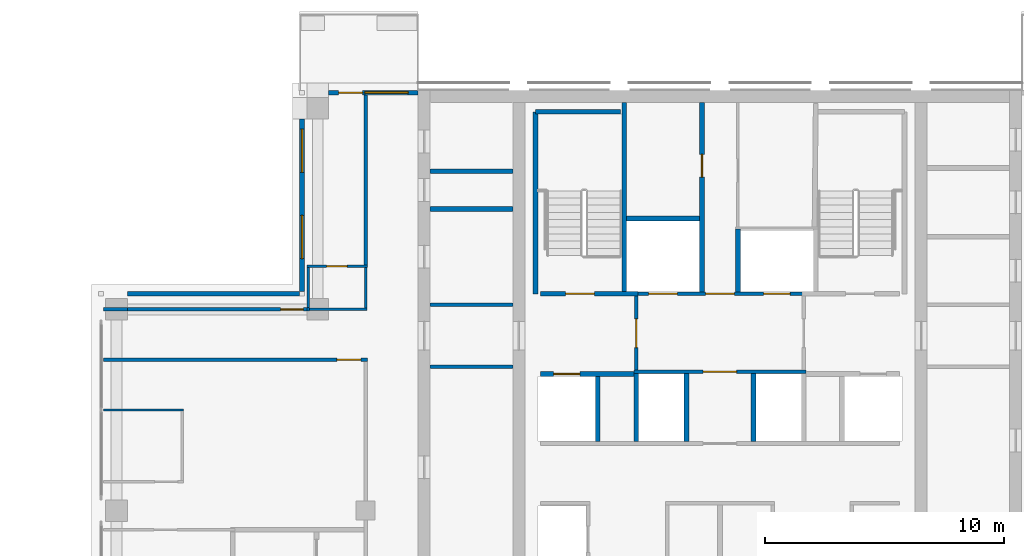
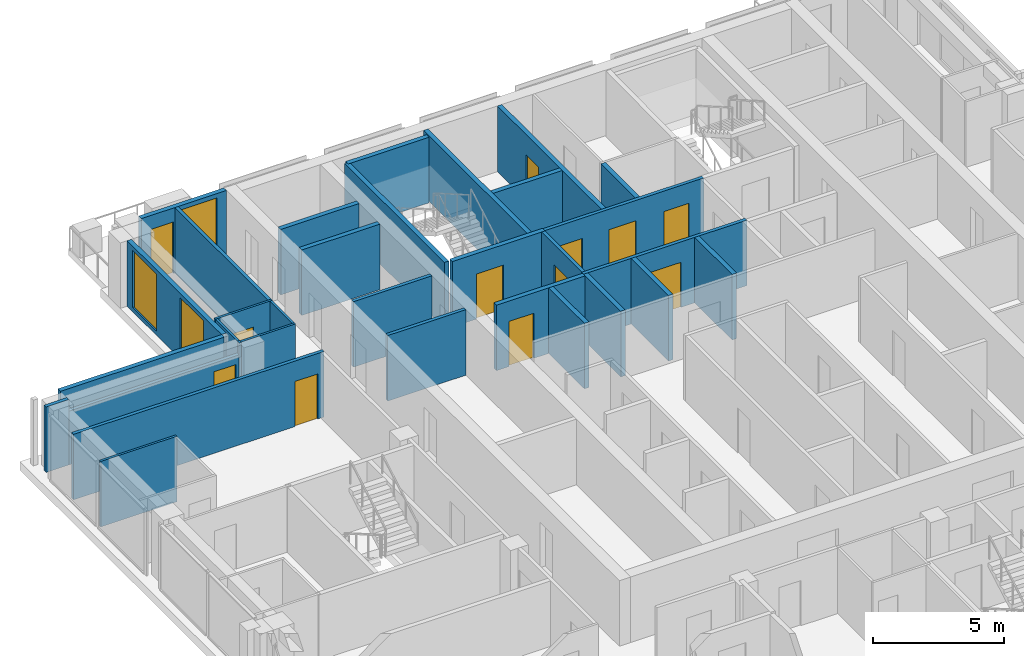
# One storey, part 13 of 18: 32 walls, 12 doors, 3 windows, 15 openings.
"""IFC4 building model written with IfcOpenShell, lengths in metres."""

from ifc_helpers import new_model, si_unit, direction, frame, frame_2d, origin, place, context, subcontext, project, spatial, rectangle, extrude, material, layer, layer_set, type_object, element, fill, save


model = new_model("IFC4")

# Units and contexts
model_context = context("Model", 3, precision=1e-05, world=origin(), true_north=direction((0.0, 1.0)))
body_context = subcontext(model_context, "Body", "Model", "MODEL_VIEW")
ifc_project = project(units=[si_unit("LENGTHUNIT", "METRE"), si_unit("AREAUNIT", "SQUARE_METRE"), si_unit("VOLUMEUNIT", "CUBIC_METRE"), si_unit("PLANEANGLEUNIT", "RADIAN"), si_unit("MASSUNIT", "GRAM", prefix="KILO")], contexts=[model_context])

# Site, building, storey
site_placement = place(None, origin())
site = spatial("IfcSite", under=ifc_project, at=site_placement, CompositionType="ELEMENT")
building_placement = place(site_placement, origin())
building = spatial("IfcBuilding", under=site, at=building_placement, Name="Vermilion Ogive Tower", CompositionType="ELEMENT")
storey_placement = place(building_placement, frame((0.0, 0.0, 230.35009765625)))
storey = spatial("IfcBuildingStorey", under=building, at=storey_placement, Name="L60", CompositionType="ELEMENT", Elevation=230.35009765625)

# Wall
ifc_material_1 = material(Name="Gypsum board partition on steel studs", Category="steel")
ifc_layer_1 = layer(ifc_material_1, 0.10009765625)
ifc_layer_set_1 = layer_set([ifc_layer_1], Name="Partition 100 bath")
wall_type_1 = type_object("IfcWallType", Name="Partition 100 bath", PredefinedType="PARTITIONING", material=ifc_layer_set_1)
wall_1_placement = place(storey_placement, frame((-17.25, 12.60009765625, 0.0), z_axis=(0.0, 0.0, 1.0), x_axis=(1.0, 0.0, 0.0)))
element("IfcWall", 1, at=wall_1_placement, inside=storey, type_object=wall_type_1, Name="L60-W-W034", PredefinedType="PARTITIONING", context=body_context, shape_type="SweptSolid", body=[
    extrude(rectangle(XDim=2.5, YDim=0.10009765625, at=frame_2d((1.25, 0.0))), origin(), (0.0, 0.0, 1.0), 3.0498046875),
])

# Wall, opening, door
wall_2_placement = place(storey_placement, frame((-17.25, 14.39990234375, 0.0), z_axis=(0.0, 0.0, 1.0), x_axis=(1.0, 0.0, 0.0)))
wall_2 = element("IfcWall", 2, at=wall_2_placement, inside=storey, type_object=wall_type_1, Name="L60-W-W037", PredefinedType="PARTITIONING", context=body_context, shape_type="SweptSolid", body=[
    extrude(rectangle(XDim=2.52490234375, YDim=0.10009765625, at=frame_2d((1.262451171875, 0.0))), origin(), (0.0, 0.0, 1.0), 3.0498046875),
])
opening_1_placement = place(wall_2_placement, frame((0.824951171875, 0.0, 0.0)))
opening_1 = element("IfcOpeningElement", 3, at=opening_1_placement, cuts=wall_2, Name="Opening D5G1008", PredefinedType="OPENING", context=body_context, shape_type="SweptSolid", body=[
    extrude(rectangle(XDim=0.85009765625, YDim=2.10009765625, at=frame_2d((0.425048828125, 1.050048828125))), frame((0.0, 0.06005859375, 0.0), z_axis=(0.0, -1.0, 0.0), x_axis=(1.0, 0.0, 0.0)), (0.0, 0.0, 1.0), 0.1201171875),
])
ifc_material_2 = material(Name="Timber door leaf", Category="wood")
door_type_1 = type_object("IfcDoorType", Name="Bath door 850 x 2100 FD30", OperationType="SINGLE_SWING_LEFT", PredefinedType="DOOR", material=ifc_material_2)
door_1_placement = place(opening_1_placement, origin())
door_1 = element("IfcDoor", 4, at=door_1_placement, inside=storey, type_object=door_type_1, Name="L60-D-D008", OperationType="SINGLE_SWING_RIGHT", OverallHeight=2.10009765625, OverallWidth=0.85009765625, PredefinedType="DOOR", context=body_context, shape_type="SweptSolid", body=[
    extrude(rectangle(XDim=0.85009765625, YDim=2.10009765625, at=frame_2d((0.425048828125, 1.050048828125))), frame((0.0, 0.02490234375, 0.0), z_axis=(0.0, -1.0, 0.0), x_axis=(1.0, 0.0, 0.0)), (0.0, 0.0, 1.0), 0.050048828125),
])
fill(opening_1, door_1)

# Walls
wall_3_placement = place(storey_placement, frame((-17.199951171875, 12.675048828125, 0.0), z_axis=(0.0, 0.0, 1.0), x_axis=(0.0, 1.0, 0.0)))
element("IfcWall", 5, at=wall_3_placement, inside=storey, type_object=wall_type_1, Name="L60-W-W043", PredefinedType="PARTITIONING", context=body_context, shape_type="SweptSolid", body=[
    extrude(rectangle(XDim=1.675048828125, YDim=0.10009765625, at=frame_2d((0.83740234375, 0.0))), origin(), (0.0, 0.0, 1.0), 3.0498046875),
])
wall_4_placement = place(storey_placement, frame((-14.800048828125, 12.64990234375, 0.0), z_axis=(0.0, 0.0, 1.0), x_axis=(0.0, 1.0, 0.0)))
element("IfcWall", 6, at=wall_4_placement, inside=storey, type_object=wall_type_1, Name="L60-W-W046", PredefinedType="PARTITIONING", context=body_context, shape_type="SweptSolid", body=[
    extrude(rectangle(XDim=1.7001953125, YDim=0.10009765625, at=frame_2d((0.85009765625, 0.0))), origin(), (0.0, 0.0, 1.0), 3.0498046875),
])
ifc_material_3 = material(Name="Gypsum board partition on steel studs", Category="steel")
ifc_layer_2 = layer(ifc_material_3, 0.10009765625)
ifc_layer_set_2 = layer_set([ifc_layer_2], Name="Partition 100 inner")
wall_type_2 = type_object("IfcWallType", Name="Partition 100 inner", PredefinedType="PARTITIONING", material=ifc_layer_set_2)
wall_5_placement = place(storey_placement, frame((-25.75, 8.39990234375, 0.0), z_axis=(0.0, 0.0, 1.0), x_axis=(1.0, 0.0, 0.0)))
element("IfcWall", 7, at=wall_5_placement, inside=storey, type_object=wall_type_2, Name="L60-W-W029", PredefinedType="PARTITIONING", context=body_context, shape_type="SweptSolid", body=[
    extrude(rectangle(XDim=3.35009765625, YDim=0.10009765625, at=frame_2d((1.675048828125, 0.0))), origin(), (0.0, 0.0, 1.0), 3.0498046875),
])

# Wall, opening, door
ifc_material_4 = material(Name="Gypsum board partition on steel studs", Category="steel")
ifc_layer_3 = layer(ifc_material_4, 0.14990234375)
ifc_layer_set_3 = layer_set([ifc_layer_3], Name="Partition 150 corridor")
wall_type_3 = type_object("IfcWallType", Name="Partition 150 corridor", PredefinedType="PARTITIONING", material=ifc_layer_set_3)
wall_6_placement = place(storey_placement, frame((-25.75, 10.5, 0.0), z_axis=(0.0, 0.0, 1.0), x_axis=(1.0, 0.0, 0.0)))
wall_6 = element("IfcWall", 8, at=wall_6_placement, inside=storey, type_object=wall_type_3, Name="L60-W-W031", PredefinedType="PARTITIONING", context=body_context, shape_type="SweptSolid", body=[
    extrude(rectangle(XDim=11.02490234375, YDim=0.14990234375, at=frame_2d((5.512451171875, 0.0))), origin(), (0.0, 0.0, 1.0), 3.0498046875),
])
opening_2_placement = place(wall_6_placement, frame((9.75, 0.0, 0.0)))
opening_2 = element("IfcOpeningElement", 9, at=opening_2_placement, cuts=wall_6, Name="Opening D5G1004", PredefinedType="OPENING", context=body_context, shape_type="SweptSolid", body=[
    extrude(rectangle(XDim=1.0, YDim=2.10009765625, at=frame_2d((0.5, 1.050048828125))), frame((0.0, 0.0849609375, 0.0), z_axis=(0.0, -1.0, 0.0), x_axis=(1.0, 0.0, 0.0)), (0.0, 0.0, 1.0), 0.169921875),
])
ifc_material_5 = material(Name="Timber door leaf", Category="wood")
door_type_2 = type_object("IfcDoorType", Name="Unit door 1000 x 2100 FD30S", OperationType="SINGLE_SWING_LEFT", PredefinedType="DOOR", material=ifc_material_5)
door_2_placement = place(opening_2_placement, origin())
door_2 = element("IfcDoor", 10, at=door_2_placement, inside=storey, type_object=door_type_2, Name="L60-D-D004", OperationType="SINGLE_SWING_RIGHT", OverallHeight=2.10009765625, OverallWidth=1.0, PredefinedType="DOOR", context=body_context, shape_type="SweptSolid", body=[
    extrude(rectangle(XDim=1.0, YDim=2.10009765625, at=frame_2d((0.5, 1.050048828125))), frame((0.0, 0.02490234375, 0.0), z_axis=(0.0, -1.0, 0.0), x_axis=(1.0, 0.0, 0.0)), (0.0, 0.0, 1.0), 0.050048828125),
])
fill(opening_2, door_2)

# Walls
wall_7_placement = place(storey_placement, frame((-25.75, 12.60009765625, 0.0), z_axis=(0.0, 0.0, 1.0), x_axis=(1.0, 0.0, 0.0)))
element("IfcWall", 11, at=wall_7_placement, inside=storey, type_object=wall_type_3, Name="L60-W-W033", PredefinedType="PARTITIONING", context=body_context, shape_type="SweptSolid", body=[
    extrude(rectangle(XDim=1.0, YDim=0.14990234375, at=frame_2d((0.5, 0.0))), origin(), (0.0, 0.0, 1.0), 3.0498046875),
])
wall_8_placement = place(storey_placement, frame((-14.800048828125, 14.449951171875, 0.0), z_axis=(0.0, 0.0, 1.0), x_axis=(0.0, 1.0, 0.0)))
element("IfcWall", 12, at=wall_8_placement, inside=storey, type_object=wall_type_3, Name="L60-W-W047", PredefinedType="PARTITIONING", context=body_context, shape_type="SweptSolid", body=[
    extrude(rectangle(XDim=7.10009765625, YDim=0.14990234375, at=frame_2d((3.550048828125, 0.0))), origin(), (0.0, 0.0, 1.0), 3.0498046875),
])

# Wall, opening, door
wall_9_placement = place(storey_placement, frame((-3.60009765625, 10.0, 0.0), z_axis=(0.0, 0.0, 1.0), x_axis=(1.0, 0.0, 0.0)))
wall_9 = element("IfcWall", 13, at=wall_9_placement, inside=storey, type_object=wall_type_3, Name="L60-CK-W-W013", PredefinedType="PARTITIONING", context=body_context, shape_type="SweptSolid", body=[
    extrude(rectangle(XDim=7.2001953125, YDim=0.14990234375, at=frame_2d((3.60009765625, 0.0))), origin(), (0.0, 0.0, 1.0), 3.0498046875),
])
opening_3_placement = place(wall_9_placement, frame((2.900146484375, 0.0, 0.0)))
opening_3 = element("IfcOpeningElement", 14, at=opening_3_placement, cuts=wall_9, Name="Opening DAA541", PredefinedType="OPENING", context=body_context, shape_type="SweptSolid", body=[
    extrude(rectangle(XDim=1.39990234375, YDim=2.10009765625, at=frame_2d((0.699951171875, 1.050048828125))), frame((0.0, 0.0849609375, 0.0), z_axis=(0.0, -1.0, 0.0), x_axis=(1.0, 0.0, 0.0)), (0.0, 0.0, 1.0), 0.169921875),
])
ifc_material_6 = material(Name="Timber door leaf", Category="wood")
door_type_3 = type_object("IfcDoorType", Name="Lobby door 1400 x 2100 FD60S", OperationType="SINGLE_SWING_LEFT", PredefinedType="DOOR", material=ifc_material_6)
door_3_placement = place(opening_3_placement, origin())
door_3 = element("IfcDoor", 15, at=door_3_placement, inside=storey, type_object=door_type_3, Name="L60-CK-D-D016", OperationType="SINGLE_SWING_RIGHT", OverallHeight=2.10009765625, OverallWidth=1.39990234375, PredefinedType="DOOR", context=body_context, shape_type="SweptSolid", body=[
    extrude(rectangle(XDim=1.39990234375, YDim=2.10009765625, at=frame_2d((0.699951171875, 1.050048828125))), frame((0.0, 0.02490234375, 0.0), z_axis=(0.0, -1.0, 0.0), x_axis=(1.0, 0.0, 0.0)), (0.0, 0.0, 1.0), 0.050048828125),
])
fill(opening_3, door_3)

# Wall, openings, doors
wall_10_placement = place(storey_placement, frame((-3.574951171875, 13.25, 0.0), z_axis=(0.0, 0.0, 1.0), x_axis=(1.0, 0.0, 0.0)))
wall_10 = element("IfcWall", 16, at=wall_10_placement, inside=storey, type_object=wall_type_3, Name="L60-CK-W-W015", PredefinedType="PARTITIONING", context=body_context, shape_type="SweptSolid", body=[
    extrude(rectangle(XDim=7.14990234375, YDim=0.14990234375, at=frame_2d((3.574951171875, 0.0))), origin(), (0.0, 0.0, 1.0), 3.0498046875),
])
opening_4_placement = place(wall_10_placement, frame((0.599853515625, 0.0, 0.0)))
opening_4 = element("IfcOpeningElement", 17, at=opening_4_placement, cuts=wall_10, Name="Opening DAA560", PredefinedType="OPENING", context=body_context, shape_type="SweptSolid", body=[
    extrude(rectangle(XDim=1.199951171875, YDim=2.10009765625, at=frame_2d((0.60009765625, 1.050048828125))), frame((0.0, 0.0849609375, 0.0), z_axis=(0.0, -1.0, 0.0), x_axis=(1.0, 0.0, 0.0)), (0.0, 0.0, 1.0), 0.169921875),
])
opening_5_placement = place(wall_10_placement, frame((5.39990234375, 0.0, 0.0)))
opening_5 = element("IfcOpeningElement", 18, at=opening_5_placement, cuts=wall_10, Name="Opening DAA559", PredefinedType="OPENING", context=body_context, shape_type="SweptSolid", body=[
    extrude(rectangle(XDim=1.10009765625, YDim=2.10009765625, at=frame_2d((0.550048828125, 1.050048828125))), frame((0.0, 0.0849609375, 0.0), z_axis=(0.0, -1.0, 0.0), x_axis=(1.0, 0.0, 0.0)), (0.0, 0.0, 1.0), 0.169921875),
])
opening_6_placement = place(wall_10_placement, frame((2.974853515625, 0.0, 0.0)))
opening_6 = element("IfcOpeningElement", 19, at=opening_6_placement, cuts=wall_10, Name="Opening DAA542", PredefinedType="OPENING", context=body_context, shape_type="SweptSolid", body=[
    extrude(rectangle(XDim=1.199951171875, YDim=2.10009765625, at=frame_2d((0.60009765625, 1.050048828125))), frame((0.0, 0.0849609375, 0.0), z_axis=(0.0, -1.0, 0.0), x_axis=(1.0, 0.0, 0.0)), (0.0, 0.0, 1.0), 0.169921875),
])
ifc_material_7 = material(Name="Stainless steel", Category="steel")
door_type_4 = type_object("IfcDoorType", Name="Lift landing door 1100 x 2100", OperationType="SLIDING_TO_LEFT", PredefinedType="DOOR", material=ifc_material_7)
door_4_placement = place(opening_5_placement, origin())
door_4 = element("IfcDoor", 20, at=door_4_placement, inside=storey, type_object=door_type_4, Name="L60-CK-D-D018", OperationType="SLIDING_TO_LEFT", OverallHeight=2.10009765625, OverallWidth=1.10009765625, PredefinedType="DOOR", context=body_context, shape_type="SweptSolid", body=[
    extrude(rectangle(XDim=1.10009765625, YDim=2.10009765625, at=frame_2d((0.550048828125, 1.050048828125))), frame((0.0, 0.02490234375, 0.0), z_axis=(0.0, -1.0, 0.0), x_axis=(1.0, 0.0, 0.0)), (0.0, 0.0, 1.0), 0.050048828125),
])
fill(opening_5, door_4)
ifc_material_8 = material(Name="Stainless steel", Category="steel")
door_type_5 = type_object("IfcDoorType", Name="Lift landing door 1200 x 2100", OperationType="SLIDING_TO_LEFT", PredefinedType="DOOR", material=ifc_material_8)
door_5_placement = place(opening_4_placement, origin())
door_5 = element("IfcDoor", 21, at=door_5_placement, inside=storey, type_object=door_type_5, Name="L60-CK-D-D017", OperationType="SLIDING_TO_RIGHT", OverallHeight=2.10009765625, OverallWidth=1.199951171875, PredefinedType="DOOR", context=body_context, shape_type="SweptSolid", body=[
    extrude(rectangle(XDim=1.199951171875, YDim=2.10009765625, at=frame_2d((0.60009765625, 1.050048828125))), frame((0.0, 0.02490234375, 0.0), z_axis=(0.0, -1.0, 0.0), x_axis=(1.0, 0.0, 0.0)), (0.0, 0.0, 1.0), 0.050048828125),
])
fill(opening_4, door_5)
ifc_material_9 = material(Name="Timber door leaf", Category="wood")
door_type_6 = type_object("IfcDoorType", Name="Service door 1200 x 2100 FD60", OperationType="SINGLE_SWING_LEFT", PredefinedType="DOOR", material=ifc_material_9)
door_6_placement = place(opening_6_placement, origin())
door_6 = element("IfcDoor", 22, at=door_6_placement, inside=storey, type_object=door_type_6, Name="L60-CK-D-D019", OperationType="SINGLE_SWING_RIGHT", OverallHeight=2.10009765625, OverallWidth=1.199951171875, PredefinedType="DOOR", context=body_context, shape_type="SweptSolid", body=[
    extrude(rectangle(XDim=1.199951171875, YDim=2.10009765625, at=frame_2d((0.60009765625, 1.050048828125))), frame((0.0, 0.02490234375, 0.0), z_axis=(0.0, -1.0, 0.0), x_axis=(1.0, 0.0, 0.0)), (0.0, 0.0, 1.0), 0.050048828125),
])
fill(opening_6, door_6)

# Wall, opening, door
wall_11_placement = place(storey_placement, frame((-3.5, 10.074951171875, 0.0), z_axis=(0.0, 0.0, 1.0), x_axis=(0.0, 1.0, 0.0)))
wall_11 = element("IfcWall", 23, at=wall_11_placement, inside=storey, type_object=wall_type_3, Name="L60-CK-W-W023", PredefinedType="PARTITIONING", context=body_context, shape_type="SweptSolid", body=[
    extrude(rectangle(XDim=3.074951171875, YDim=0.14990234375, at=frame_2d((1.53759765625, 0.0))), origin(), (0.0, 0.0, 1.0), 3.0498046875),
])
opening_7_placement = place(wall_11_placement, frame((0.925048828125, 0.0, 0.0)))
opening_7 = element("IfcOpeningElement", 24, at=opening_7_placement, cuts=wall_11, Name="Opening DAA538", PredefinedType="OPENING", context=body_context, shape_type="SweptSolid", body=[
    extrude(rectangle(XDim=1.199951171875, YDim=2.10009765625, at=frame_2d((0.60009765625, 1.050048828125))), frame((0.0, 0.0849609375, 0.0), z_axis=(0.0, -1.0, 0.0), x_axis=(1.0, 0.0, 0.0)), (0.0, 0.0, 1.0), 0.169921875),
])
ifc_material_10 = material(Name="Timber door leaf", Category="wood")
door_type_7 = type_object("IfcDoorType", Name="Lobby door 1200 x 2100 FD60S", OperationType="SINGLE_SWING_LEFT", PredefinedType="DOOR", material=ifc_material_10)
door_7_placement = place(opening_7_placement, origin())
door_7 = element("IfcDoor", 25, at=door_7_placement, inside=storey, type_object=door_type_7, Name="L60-CK-D-D022", OperationType="SINGLE_SWING_RIGHT", OverallHeight=2.10009765625, OverallWidth=1.199951171875, PredefinedType="DOOR", context=body_context, shape_type="SweptSolid", body=[
    extrude(rectangle(XDim=1.199951171875, YDim=2.10009765625, at=frame_2d((0.60009765625, 1.050048828125))), frame((0.0, 0.02490234375, 0.0), z_axis=(0.0, -1.0, 0.0), x_axis=(1.0, 0.0, 0.0)), (0.0, 0.0, 1.0), 0.050048828125),
])
fill(opening_7, door_7)

# Walls
for number, where, z_axis, x_axis, name in (
    (26, (-12.09912109375, 10.199951171875, 0.0), (0.0, 0.0, 1.0), (1.0, 0.0, 0.0), "L60-CKW-W-W002"),
    (27, (-12.09912109375, 12.800048828125, 0.0), (0.0, 0.0, 1.0), (1.0, 0.0, 0.0), "L60-CKW-W-W003"),
):
    element("IfcWall", number, at=place(storey_placement, frame(where, z_axis=z_axis, x_axis=x_axis)), inside=storey, type_object=wall_type_3, Name=name, PredefinedType="PARTITIONING", context=body_context, shape_type="SweptSolid", body=[
        extrude(rectangle(XDim=3.4482421875, YDim=0.14990234375, at=frame_2d((1.72412109375, 0.0))), origin(), (0.0, 0.0, 1.0), 3.0498046875),
    ])

# Wall, opening, door
wall_12_placement = place(storey_placement, frame((-24.75, 12.60009765625, 0.0), z_axis=(0.0, 0.0, 1.0), x_axis=(1.0, 0.0, 0.0)))
wall_12 = element("IfcWall", 28, at=wall_12_placement, inside=storey, type_object=wall_type_3, Name="L60-W-W033-h1", PredefinedType="PARTITIONING", context=body_context, shape_type="SweptSolid", body=[
    extrude(rectangle(XDim=7.5, YDim=0.14990234375, at=frame_2d((3.75, 0.0))), origin(), (0.0, 0.0, 1.0), 2.5),
])
opening_8_placement = place(wall_12_placement, frame((6.39990234375, 0.0, 0.0)))
opening_8 = element("IfcOpeningElement", 29, at=opening_8_placement, cuts=wall_12, Name="Opening D5G1007", PredefinedType="OPENING", context=body_context, shape_type="SweptSolid", body=[
    extrude(rectangle(XDim=0.949951171875, YDim=2.10009765625, at=frame_2d((0.47509765625, 1.050048828125))), frame((0.0, 0.0849609375, 0.0), z_axis=(0.0, -1.0, 0.0), x_axis=(1.0, 0.0, 0.0)), (0.0, 0.0, 1.0), 0.169921875),
])
ifc_material_11 = material(Name="Timber door leaf", Category="wood")
door_type_8 = type_object("IfcDoorType", Name="Unit door 950 x 2100 FD30S", OperationType="SINGLE_SWING_LEFT", PredefinedType="DOOR", material=ifc_material_11)
door_8_placement = place(opening_8_placement, origin())
door_8 = element("IfcDoor", 30, at=door_8_placement, inside=storey, type_object=door_type_8, Name="L60-D-D007", OperationType="SINGLE_SWING_LEFT", OverallHeight=2.10009765625, OverallWidth=0.949951171875, PredefinedType="DOOR", context=body_context, shape_type="SweptSolid", body=[
    extrude(rectangle(XDim=0.949951171875, YDim=2.10009765625, at=frame_2d((0.47509765625, 1.050048828125))), frame((0.0, 0.02490234375, 0.0), z_axis=(0.0, -1.0, 0.0), x_axis=(1.0, 0.0, 0.0)), (0.0, 0.0, 1.0), 0.050048828125),
])
fill(opening_8, door_8)

# Wall
wall_13_placement = place(storey_placement, frame((-17.25, 12.60009765625, 0.0), z_axis=(0.0, 0.0, 1.0), x_axis=(1.0, 0.0, 0.0)))
element("IfcWall", 31, at=wall_13_placement, inside=storey, type_object=wall_type_3, Name="L60-W-W033-h2", PredefinedType="PARTITIONING", context=body_context, shape_type="SweptSolid", body=[
    extrude(rectangle(XDim=0.10009765625, YDim=0.14990234375, at=frame_2d((0.050048828125, 0.0))), origin(), (0.0, 0.0, 1.0), 3.0498046875),
])

# Wall, opening, door
ifc_material_12 = material(Name="Gypsum board partition on steel studs", Category="steel")
ifc_layer_4 = layer(ifc_material_12, 0.199951171875)
ifc_layer_set_4 = layer_set([ifc_layer_4], Name="Partition 200 party")
wall_type_4 = type_object("IfcWallType", Name="Partition 200 party", PredefinedType="PARTITIONING", material=ifc_layer_set_4)
wall_14_placement = place(storey_placement, frame((-7.5, 9.89990234375, 0.0), z_axis=(0.0, 0.0, 1.0), x_axis=(1.0, 0.0, 0.0)))
wall_14 = element("IfcWall", 32, at=wall_14_placement, inside=storey, type_object=wall_type_4, Name="L60-CK-W-W011", PredefinedType="PARTITIONING", context=body_context, shape_type="SweptSolid", body=[
    extrude(rectangle(XDim=3.89990234375, YDim=0.199951171875, at=frame_2d((1.949951171875, 0.0))), origin(), (0.0, 0.0, 1.0), 3.0498046875),
])
opening_9_placement = place(wall_14_placement, frame((0.550048828125, 0.0, 0.0)))
opening_9 = element("IfcOpeningElement", 33, at=opening_9_placement, cuts=wall_14, Name="Opening DAA557", PredefinedType="OPENING", context=body_context, shape_type="SweptSolid", body=[
    extrude(rectangle(XDim=1.10009765625, YDim=2.10009765625, at=frame_2d((0.550048828125, 1.050048828125))), frame((0.0, 0.10986328125, 0.0), z_axis=(0.0, -1.0, 0.0), x_axis=(1.0, 0.0, 0.0)), (0.0, 0.0, 1.0), 0.219970703125),
])
door_9_placement = place(opening_9_placement, origin())
door_9 = element("IfcDoor", 34, at=door_9_placement, inside=storey, type_object=door_type_4, Name="L60-CK-D-D012", OperationType="SLIDING_TO_RIGHT", OverallHeight=2.10009765625, OverallWidth=1.10009765625, PredefinedType="DOOR", context=body_context, shape_type="SweptSolid", body=[
    extrude(rectangle(XDim=1.10009765625, YDim=2.10009765625, at=frame_2d((0.550048828125, 1.050048828125))), frame((0.0, 0.02490234375, 0.0), z_axis=(0.0, -1.0, 0.0), x_axis=(1.0, 0.0, 0.0)), (0.0, 0.0, 1.0), 0.050048828125),
])
fill(opening_9, door_9)

# Walls
wall_15_placement = place(storey_placement, frame((-3.89990234375, 16.39990234375, 0.0), z_axis=(0.0, 0.0, 1.0), x_axis=(1.0, 0.0, 0.0)))
element("IfcWall", 35, at=wall_15_placement, inside=storey, type_object=wall_type_4, Name="L60-CK-W-W018", PredefinedType="PARTITIONING", context=body_context, shape_type="SweptSolid", body=[
    extrude(rectangle(XDim=3.0498046875, YDim=0.199951171875, at=frame_2d((1.52490234375, 0.0))), origin(), (0.0, 0.0, 1.0), 3.0498046875),
])
wall_16_placement = place(storey_placement, frame((-5.10009765625, 7.074951171875, 0.0), z_axis=(0.0, 0.0, 1.0), x_axis=(0.0, 1.0, 0.0)))
element("IfcWall", 36, at=wall_16_placement, inside=storey, type_object=wall_type_4, Name="L60-CK-W-W020", PredefinedType="PARTITIONING", context=body_context, shape_type="SweptSolid", body=[
    extrude(rectangle(XDim=2.72509765625, YDim=0.199951171875, at=frame_2d((1.362548828125, 0.0))), origin(), (0.0, 0.0, 1.0), 3.0498046875),
])
for number, where, z_axis, x_axis, name in (
    (37, (-3.5, 7.074951171875, 0.0), (0.0, 0.0, 1.0), (0.0, 1.0, 0.0), "L60-CK-W-W022"),
    (38, (-1.39990234375, 7.074951171875, 0.0), (0.0, 0.0, 1.0), (0.0, 1.0, 0.0), "L60-CK-W-W025"),
):
    element("IfcWall", number, at=place(storey_placement, frame(where, z_axis=z_axis, x_axis=x_axis)), inside=storey, type_object=wall_type_4, Name=name, PredefinedType="PARTITIONING", context=body_context, shape_type="SweptSolid", body=[
        extrude(rectangle(XDim=2.85009765625, YDim=0.199951171875, at=frame_2d((1.425048828125, 0.0))), origin(), (0.0, 0.0, 1.0), 3.0498046875),
    ])

# Wall, opening, door
wall_17_placement = place(storey_placement, frame((-0.75, 13.324951171875, 0.0), z_axis=(0.0, 0.0, 1.0), x_axis=(0.0, 1.0, 0.0)))
wall_17 = element("IfcWall", 39, at=wall_17_placement, inside=storey, type_object=wall_type_4, Name="L60-CK-W-W026", PredefinedType="PARTITIONING", context=body_context, shape_type="SweptSolid", body=[
    extrude(rectangle(XDim=7.924072265625, YDim=0.199951171875, at=frame_2d((3.9619140625, 0.0))), origin(), (0.0, 0.0, 1.0), 3.0498046875),
])
opening_10_placement = place(wall_17_placement, frame((4.800048828125, 0.0, 0.0)))
opening_10 = element("IfcOpeningElement", 40, at=opening_10_placement, cuts=wall_17, Name="Opening DAA548", PredefinedType="OPENING", context=body_context, shape_type="SweptSolid", body=[
    extrude(rectangle(XDim=0.949951171875, YDim=2.10009765625, at=frame_2d((0.47509765625, 1.050048828125))), frame((0.0, 0.10986328125, 0.0), z_axis=(0.0, -1.0, 0.0), x_axis=(1.0, 0.0, 0.0)), (0.0, 0.0, 1.0), 0.219970703125),
])
ifc_material_13 = material(Name="Timber door leaf", Category="wood")
door_type_9 = type_object("IfcDoorType", Name="Service door 950 x 2100 FD60", OperationType="SINGLE_SWING_LEFT", PredefinedType="DOOR", material=ifc_material_13)
door_10_placement = place(opening_10_placement, origin())
door_10 = element("IfcDoor", 41, at=door_10_placement, inside=storey, type_object=door_type_9, Name="L60-CK-D-D020", OperationType="SINGLE_SWING_RIGHT", OverallHeight=2.10009765625, OverallWidth=0.949951171875, PredefinedType="DOOR", context=body_context, shape_type="SweptSolid", body=[
    extrude(rectangle(XDim=0.949951171875, YDim=2.10009765625, at=frame_2d((0.47509765625, 1.050048828125))), frame((0.0, 0.02490234375, 0.0), z_axis=(0.0, -1.0, 0.0), x_axis=(1.0, 0.0, 0.0)), (0.0, 0.0, 1.0), 0.050048828125),
])
fill(opening_10, door_10)

# Walls
wall_18_placement = place(storey_placement, frame((0.75, 13.324951171875, 0.0), z_axis=(0.0, 0.0, 1.0), x_axis=(0.0, 1.0, 0.0)))
element("IfcWall", 42, at=wall_18_placement, inside=storey, type_object=wall_type_4, Name="L60-CK-W-W028", PredefinedType="PARTITIONING", context=body_context, shape_type="SweptSolid", body=[
    extrude(rectangle(XDim=2.625, YDim=0.199951171875, at=frame_2d((1.3125, 0.0))), origin(), (0.0, 0.0, 1.0), 3.0498046875),
])
wall_19_placement = place(storey_placement, frame((1.39990234375, 7.074951171875, 0.0), z_axis=(0.0, 0.0, 1.0), x_axis=(0.0, 1.0, 0.0)))
element("IfcWall", 43, at=wall_19_placement, inside=storey, type_object=wall_type_4, Name="L60-CK-W-W030", PredefinedType="PARTITIONING", context=body_context, shape_type="SweptSolid", body=[
    extrude(rectangle(XDim=2.85009765625, YDim=0.199951171875, at=frame_2d((1.425048828125, 0.0))), origin(), (0.0, 0.0, 1.0), 3.0498046875),
])
for number, where, z_axis, x_axis, name in (
    (44, (-12.09912109375, 16.7880859375, 0.0), (0.0, 0.0, 1.0), (1.0, 0.0, 0.0), "L60-CKW-W-W004"),
    (45, (-12.09912109375, 18.373046875, 0.0), (0.0, 0.0, 1.0), (1.0, 0.0, 0.0), "L60-CKW-W-W005"),
):
    element("IfcWall", number, at=place(storey_placement, frame(where, z_axis=z_axis, x_axis=x_axis)), inside=storey, type_object=wall_type_4, Name=name, PredefinedType="PARTITIONING", context=body_context, shape_type="SweptSolid", body=[
        extrude(rectangle(XDim=3.4482421875, YDim=0.199951171875, at=frame_2d((1.72412109375, 0.0))), origin(), (0.0, 0.0, 1.0), 3.0498046875),
    ])

# Wall, opening, door
ifc_material_14 = material(Name="Concrete B60", Category="concrete")
ifc_layer_5 = layer(ifc_material_14, 0.199951171875)
ifc_layer_set_5 = layer_set([ifc_layer_5], Name="Stair shaft wall 200 Concrete B60")
wall_type_5 = type_object("IfcWallType", Name="Stair shaft wall 200 Concrete B60", PredefinedType="SOLIDWALL", material=ifc_layer_set_5)
wall_20_placement = place(storey_placement, frame((-7.5, 13.25, 0.0), z_axis=(0.0, 0.0, 1.0), x_axis=(1.0, 0.0, 0.0)))
wall_20 = element("IfcWall", 46, at=wall_20_placement, inside=storey, type_object=wall_type_5, Name="L60-CK-W-W014", PredefinedType="SOLIDWALL", context=body_context, shape_type="SweptSolid", body=[
    extrude(rectangle(XDim=4.074951171875, YDim=0.199951171875, at=frame_2d((2.03759765625, 0.0))), origin(), (0.0, 0.0, 1.0), 3.0498046875),
])
opening_11_placement = place(wall_20_placement, frame((1.050048828125, 0.0, 0.0)))
opening_11 = element("IfcOpeningElement", 47, at=opening_11_placement, cuts=wall_20, Name="Opening DAA550", PredefinedType="OPENING", context=body_context, shape_type="SweptSolid", body=[
    extrude(rectangle(XDim=1.199951171875, YDim=2.10009765625, at=frame_2d((0.60009765625, 1.050048828125))), frame((0.0, 0.10986328125, 0.0), z_axis=(0.0, -1.0, 0.0), x_axis=(1.0, 0.0, 0.0)), (0.0, 0.0, 1.0), 0.219970703125),
])
ifc_material_15 = material(Name="Timber door leaf", Category="wood")
door_type_10 = type_object("IfcDoorType", Name="Stair door 1200 x 2100 FD60S", OperationType="SINGLE_SWING_LEFT", PredefinedType="DOOR", material=ifc_material_15)
door_11_placement = place(opening_11_placement, origin())
door_11 = element("IfcDoor", 48, at=door_11_placement, inside=storey, type_object=door_type_10, Name="L60-CK-D-D011", OperationType="SINGLE_SWING_LEFT", OverallHeight=2.10009765625, OverallWidth=1.199951171875, PredefinedType="DOOR", context=body_context, shape_type="SweptSolid", body=[
    extrude(rectangle(XDim=1.199951171875, YDim=2.10009765625, at=frame_2d((0.60009765625, 1.050048828125))), frame((0.0, 0.02490234375, 0.0), z_axis=(0.0, -1.0, 0.0), x_axis=(1.0, 0.0, 0.0)), (0.0, 0.0, 1.0), 0.050048828125),
])
fill(opening_11, door_11)

# Walls
wall_21_placement = place(storey_placement, frame((-4.0, 13.35009765625, 0.0), z_axis=(0.0, 0.0, 1.0), x_axis=(0.0, 1.0, 0.0)))
element("IfcWall", 49, at=wall_21_placement, inside=storey, type_object=wall_type_5, Name="L60-CK-W-W021", PredefinedType="SOLIDWALL", context=body_context, shape_type="SweptSolid", body=[
    extrude(rectangle(XDim=7.89892578125, YDim=0.199951171875, at=frame_2d((3.949462890625, 0.0))), origin(), (0.0, 0.0, 1.0), 3.0498046875),
])
wall_22_placement = place(storey_placement, frame((-7.699951171875, 13.25, 0.0), z_axis=(0.0, 0.0, 1.0), x_axis=(0.0, 1.0, 0.0)))
element("IfcWall", 50, at=wall_22_placement, inside=storey, type_object=wall_type_5, Name="L60-SW-R015-W1", PredefinedType="SOLIDWALL", context=body_context, shape_type="SweptSolid", body=[
    extrude(rectangle(XDim=7.60009765625, YDim=0.199951171875, at=frame_2d((3.800048828125, 0.0))), origin(), (0.0, 0.0, 1.0), 3.0498046875),
])
wall_23_placement = place(storey_placement, frame((-7.699951171875, 20.85009765625, 0.0), z_axis=(0.0, 0.0, 1.0), x_axis=(1.0, 0.0, 0.0)))
element("IfcWall", 51, at=wall_23_placement, inside=storey, type_object=wall_type_5, Name="L60-SW-R015-N1", PredefinedType="SOLIDWALL", context=body_context, shape_type="SweptSolid", body=[
    extrude(rectangle(XDim=3.550048828125, YDim=0.199951171875, at=frame_2d((1.77490234375, 0.0))), origin(), (0.0, 0.0, 1.0), 3.0498046875),
])

# Wall, openings, door, window
ifc_material_16 = material(Name="Aluminium window wall framing", Category="aluminium")
ifc_layer_6 = layer(ifc_material_16, 0.199951171875)
ifc_layer_set_6 = layer_set([ifc_layer_6], Name="Window wall")
wall_type_6 = type_object("IfcWallType", Name="Window wall", PredefinedType="STANDARD", material=ifc_layer_set_6)
wall_24_placement = place(storey_placement, frame((-12.60009765625, 21.64990234375, 0.0), z_axis=(0.0, 0.0, 1.0), x_axis=(-1.0, 0.0, 0.0)))
wall_24 = element("IfcWall", 52, at=wall_24_placement, inside=storey, type_object=wall_type_6, Name="Window wall N21", PredefinedType="STANDARD", context=body_context, shape_type="SweptSolid", body=[
    extrude(rectangle(XDim=3.75, YDim=0.199951171875, at=frame_2d((1.875, 0.0))), origin(), (0.0, 0.0, 1.0), 3.0498046875),
])
opening_12_placement = place(wall_24_placement, frame((0.425048828125, 0.0, 0.199951171875)))
opening_12 = element("IfcOpeningElement", 53, at=opening_12_placement, cuts=wall_24, Name="Opening W1-N296", PredefinedType="OPENING", context=body_context, shape_type="SweptSolid", body=[
    extrude(rectangle(XDim=1.800048828125, YDim=2.64990234375, at=frame_2d((0.89990234375, 1.324951171875))), frame((0.0, 0.10986328125, 0.0), z_axis=(0.0, -1.0, 0.0), x_axis=(1.0, 0.0, 0.0)), (0.0, 0.0, 1.0), 0.219970703125),
])
opening_13_placement = place(wall_24_placement, frame((2.324951171875, 0.0, 0.0)))
opening_13 = element("IfcOpeningElement", 54, at=opening_13_placement, cuts=wall_24, Name="Opening D1-N296", PredefinedType="OPENING", context=body_context, shape_type="SweptSolid", body=[
    extrude(rectangle(XDim=1.0, YDim=2.39990234375, at=frame_2d((0.5, 1.199951171875))), frame((0.0, 0.10986328125, 0.0), z_axis=(0.0, -1.0, 0.0), x_axis=(1.0, 0.0, 0.0)), (0.0, 0.0, 1.0), 0.219970703125),
])
ifc_material_17 = material(Name="Aluminium framed glazed door", Category="aluminium")
door_type_11 = type_object("IfcDoorType", Name="Balcony door D1", OperationType="SINGLE_SWING_LEFT", PredefinedType="DOOR", material=ifc_material_17)
door_12_placement = place(opening_13_placement, origin())
door_12 = element("IfcDoor", 55, at=door_12_placement, inside=storey, type_object=door_type_11, Name="Balcony door N296", OperationType="SINGLE_SWING_LEFT", OverallHeight=2.39990234375, OverallWidth=1.0, PredefinedType="DOOR", context=body_context, shape_type="SweptSolid", body=[
    extrude(rectangle(XDim=1.0, YDim=2.39990234375, at=frame_2d((0.5, 1.199951171875))), frame((0.0, 0.02490234375, 0.0), z_axis=(0.0, -1.0, 0.0), x_axis=(1.0, 0.0, 0.0)), (0.0, 0.0, 1.0), 0.050048828125),
])
fill(opening_13, door_12)
ifc_material_18 = material(Name="Aluminium framed double glazing", Category="aluminium")
window_type = type_object("IfcWindowType", Name="Guest window W1", PartitioningType="SINGLE_PANEL", PredefinedType="WINDOW", material=ifc_material_18)
window_1_placement = place(opening_12_placement, origin())
window_1 = element("IfcWindow", 56, at=window_1_placement, inside=storey, type_object=window_type, Name="Window N296", OverallHeight=2.64990234375, OverallWidth=1.800048828125, PartitioningType="SINGLE_PANEL", PredefinedType="WINDOW", context=body_context, shape_type="SweptSolid", body=[
    extrude(rectangle(XDim=1.800048828125, YDim=2.64990234375, at=frame_2d((0.89990234375, 1.324951171875))), frame((0.0, 0.030029296875, 0.0), z_axis=(0.0, -1.0, 0.0), x_axis=(1.0, 0.0, 0.0)), (0.0, 0.0, 1.0), 0.06005859375),
])
fill(opening_12, window_1)

# Wall, openings, windows
wall_25_placement = place(storey_placement, frame((-17.449951171875, 20.550048828125, 0.0), z_axis=(0.0, 0.0, 1.0), x_axis=(0.0, -1.0, 0.0)))
wall_25 = element("IfcWall", 57, at=wall_25_placement, inside=storey, type_object=wall_type_6, Name="Window wall X51", PredefinedType="STANDARD", context=body_context, shape_type="SweptSolid", body=[
    extrude(rectangle(XDim=7.199951171875, YDim=0.199951171875, at=frame_2d((3.60009765625, 0.0))), origin(), (0.0, 0.0, 1.0), 3.0498046875),
])
opening_14_placement = place(wall_25_placement, frame((4.02490234375, 0.0, 0.199951171875)))
opening_14 = element("IfcOpeningElement", 58, at=opening_14_placement, cuts=wall_25, Name="Opening W1-X503", PredefinedType="OPENING", context=body_context, shape_type="SweptSolid", body=[
    extrude(rectangle(XDim=1.800048828125, YDim=2.64990234375, at=frame_2d((0.89990234375, 1.324951171875))), frame((0.0, 0.10986328125, 0.0), z_axis=(0.0, -1.0, 0.0), x_axis=(1.0, 0.0, 0.0)), (0.0, 0.0, 1.0), 0.219970703125),
])
opening_15_placement = place(wall_25_placement, frame((0.425048828125, 0.0, 0.199951171875)))
opening_15 = element("IfcOpeningElement", 59, at=opening_15_placement, cuts=wall_25, Name="Opening W1-X504", PredefinedType="OPENING", context=body_context, shape_type="SweptSolid", body=[
    extrude(rectangle(XDim=1.800048828125, YDim=2.64990234375, at=frame_2d((0.89990234375, 1.324951171875))), frame((0.0, 0.10986328125, 0.0), z_axis=(0.0, -1.0, 0.0), x_axis=(1.0, 0.0, 0.0)), (0.0, 0.0, 1.0), 0.219970703125),
])
window_2_placement = place(opening_14_placement, origin())
window_2 = element("IfcWindow", 60, at=window_2_placement, inside=storey, type_object=window_type, Name="Window X503", OverallHeight=2.64990234375, OverallWidth=1.800048828125, PartitioningType="SINGLE_PANEL", PredefinedType="WINDOW", context=body_context, shape_type="SweptSolid", body=[
    extrude(rectangle(XDim=1.800048828125, YDim=2.64990234375, at=frame_2d((0.89990234375, 1.324951171875))), frame((0.0, 0.030029296875, 0.0), z_axis=(0.0, -1.0, 0.0), x_axis=(1.0, 0.0, 0.0)), (0.0, 0.0, 1.0), 0.06005859375),
])
fill(opening_14, window_2)
window_3_placement = place(opening_15_placement, origin())
window_3 = element("IfcWindow", 61, at=window_3_placement, inside=storey, type_object=window_type, Name="Window X504", OverallHeight=2.64990234375, OverallWidth=1.800048828125, PartitioningType="SINGLE_PANEL", PredefinedType="WINDOW", context=body_context, shape_type="SweptSolid", body=[
    extrude(rectangle(XDim=1.800048828125, YDim=2.64990234375, at=frame_2d((0.89990234375, 1.324951171875))), frame((0.0, 0.030029296875, 0.0), z_axis=(0.0, -1.0, 0.0), x_axis=(1.0, 0.0, 0.0)), (0.0, 0.0, 1.0), 0.06005859375),
])
fill(opening_15, window_3)

# Wall
wall_26_placement = place(storey_placement, frame((-17.550048828125, 13.25, 0.0), z_axis=(0.0, 0.0, 1.0), x_axis=(-1.0, 0.0, 0.0)))
element("IfcWall", 62, at=wall_26_placement, inside=storey, type_object=wall_type_6, Name="Window wall X61", PredefinedType="STANDARD", context=body_context, shape_type="SweptSolid", body=[
    extrude(rectangle(XDim=7.199951171875, YDim=0.199951171875, at=frame_2d((3.60009765625, 0.0))), origin(), (0.0, 0.0, 1.0), 3.0498046875),
])

save(model, "model.ifc")
